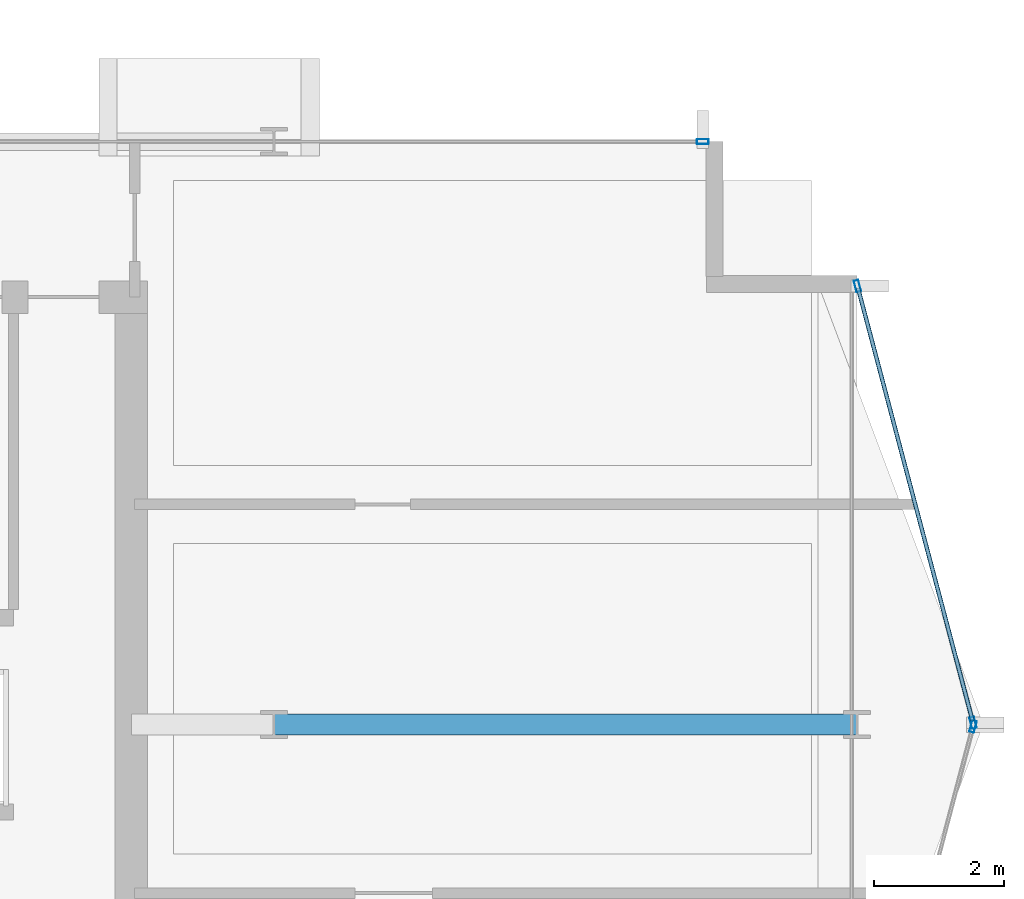
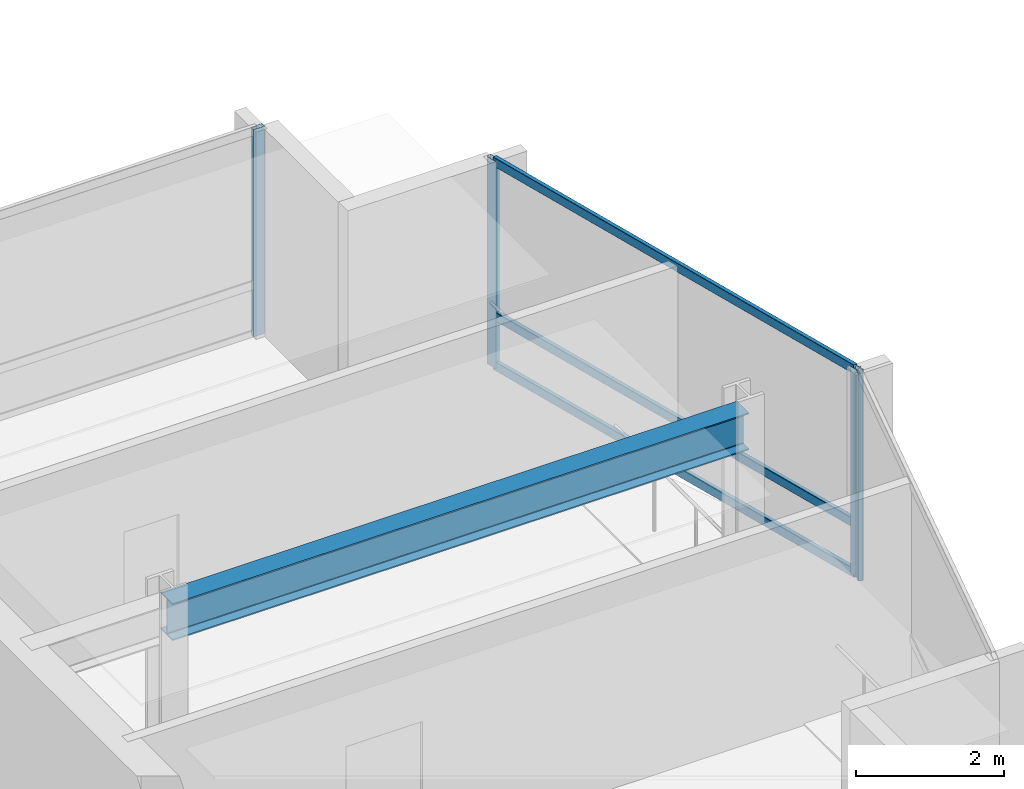
# One storey, part 14 of 29: 7 members, 1 beam, 3 elements without a shape of their own.
"""IFC4 building model written with IfcOpenShell, lengths in metres."""

from ifc_helpers import new_model, si_unit, direction, frame, origin, origin_2d, place, context, subcontext, project, spatial, hollow_rectangle, i_section, extrude, material, layer, layer_set, material_profile, profile_set, type_object, element, aggregate, save


model = new_model("IFC4")

# Units and contexts
model_context = context("Model", 3, precision=1e-05, world=origin(), true_north=direction((0.0, 1.0)))
body_context = subcontext(model_context, "Body", "Model", "MODEL_VIEW")
ifc_project = project(units=[si_unit("LENGTHUNIT", "METRE"), si_unit("AREAUNIT", "SQUARE_METRE"), si_unit("VOLUMEUNIT", "CUBIC_METRE"), si_unit("PLANEANGLEUNIT", "RADIAN"), si_unit("MASSUNIT", "GRAM", prefix="KILO")], contexts=[model_context])

# Site, building, storey
site_placement = place(None, origin())
site = spatial("IfcSite", under=ifc_project, at=site_placement, CompositionType="ELEMENT")
building_placement = place(site_placement, origin())
building = spatial("IfcBuilding", under=site, at=building_placement, Name="Solvaryn Broadcast Tower", CompositionType="ELEMENT")
storey_placement = place(building_placement, frame((0.0, 0.0, 161.800048828125)))
storey = spatial("IfcBuildingStorey", under=building, at=storey_placement, Name="L40", CompositionType="ELEMENT", Elevation=161.800048828125)

# Beam
ifc_material_1 = material(Name="Steel ASTM A992 Grade 50", Category="steel")
ifc_material_profile_1 = material_profile(ifc_material_1, i_section(OverallWidth=0.323974609375, OverallDepth=0.611083984375, WebThickness=0.0126953125, FlangeThickness=0.01904296875, FilletRadius=0.014892578125, at=origin_2d()))
ifc_profile_set_1 = profile_set([ifc_material_profile_1], Name="Steel ASTM A992 Grade 50")
beam_type = type_object("IfcBeamType", Name="BM-B1-W24X104", PredefinedType="BEAM", material=ifc_profile_set_1)
beam_placement = place(storey_placement, frame((45.0, 18.0, 3.114501953125), z_axis=(1.0, 0.0, 0.0), x_axis=(0.0, 1.0, 0.0)))
element("IfcBeam", 1, at=beam_placement, inside=storey, type_object=beam_type, Name="L40 Primary Beam X (45-54 @ Y=18)", PredefinedType="BEAM", context=body_context, shape_type="SweptSolid", body=[
    extrude(i_section(OverallWidth=0.323974609375, OverallDepth=0.611083984375, WebThickness=0.0126953125, FlangeThickness=0.01904296875, FilletRadius=0.014892578125, at=origin_2d()), origin(), (0.0, 0.0, 1.0), 9.0),
])

# Curtain wall, members
ifc_material_2 = material(Name="Aluminium and Terracotta Unitised Curtain Wall", Category="masonry")
ifc_layer = layer(ifc_material_2, 0.199951171875)
ifc_layer_set = layer_set([ifc_layer], Name="CW-SYS2-LOWMID")
curtain_wall_type = type_object("IfcCurtainWallType", Name="CW-SYS2-LOWMID", PredefinedType="NOTDEFINED", material=ifc_layer_set)
curtain_wall_1_placement = place(storey_placement, origin())
curtain_wall_1 = element("IfcCurtainWall", 2, at=curtain_wall_1_placement, inside=storey, type_object=curtain_wall_type, Name="L40 Curtain Wall ET1", PredefinedType="NOTDEFINED")
ifc_material_3 = material(Name="Anodised Aluminium 6063-T6", Category="aluminium")
ifc_material_profile_2 = material_profile(ifc_material_3, hollow_rectangle(XDim=0.074951171875, YDim=0.179931640625, WallThickness=0.00390625, InnerFilletRadius=0.00390625, OuterFilletRadius=0.008056640625, at=origin_2d()))
ifc_profile_set_2 = profile_set([ifc_material_profile_2], Name="Anodised Aluminium 6063-T6")
member_type_1 = type_object("IfcMemberType", Name="CW-MUL-180", PredefinedType="MULLION", material=ifc_profile_set_2)
member_1_placement = place(storey_placement, frame((54.007568359375, 24.77099609375, 0.0), z_axis=(0.0, 0.0, 1.0), x_axis=(0.966705227863, 0.25589256031, 0.0)))
member_1 = element("IfcMember", 3, at=member_1_placement, type_object=member_type_1, Name="CWS2 mullion 1", PredefinedType="MULLION", context=body_context, shape_type="SweptSolid", body=[
    extrude(hollow_rectangle(XDim=0.074951171875, YDim=0.179931640625, WallThickness=0.00390625, InnerFilletRadius=0.00390625, OuterFilletRadius=0.008056640625, at=origin_2d()), origin(), (0.0, 0.0, 1.0), 3.419921875),
])
member_2_placement = place(storey_placement, frame((55.792236328125, 18.029052734375, 0.0), z_axis=(0.0, 0.0, 1.0), x_axis=(0.966705227863, 0.25589256031, 0.0)))
member_2 = element("IfcMember", 4, at=member_2_placement, type_object=member_type_1, Name="CWS2 mullion 2", PredefinedType="MULLION", context=body_context, shape_type="SweptSolid", body=[
    extrude(hollow_rectangle(XDim=0.074951171875, YDim=0.179931640625, WallThickness=0.00390625, InnerFilletRadius=0.00390625, OuterFilletRadius=0.008056640625, at=origin_2d()), origin(), (0.0, 0.0, 1.0), 3.419921875),
])

# Curtain wall, member
curtain_wall_2_placement = place(storey_placement, origin())
curtain_wall_2 = element("IfcCurtainWall", 5, at=curtain_wall_2_placement, inside=storey, type_object=curtain_wall_type, Name="L40 Curtain Wall ET2", PredefinedType="NOTDEFINED")
member_3_placement = place(storey_placement, frame((55.792236328125, 17.970947265625, 0.0), z_axis=(0.0, 0.0, 1.0), x_axis=(0.966705227863, -0.25589256031, 0.0)))
member_3 = element("IfcMember", 6, at=member_3_placement, type_object=member_type_1, Name="CWS2 mullion 1", PredefinedType="MULLION", context=body_context, shape_type="SweptSolid", body=[
    extrude(hollow_rectangle(XDim=0.074951171875, YDim=0.179931640625, WallThickness=0.00390625, InnerFilletRadius=0.00390625, OuterFilletRadius=0.008056640625, at=origin_2d()), origin(), (0.0, 0.0, 1.0), 3.419921875),
])
aggregate(curtain_wall_2, [member_3])

curtain_wall_3_placement = place(storey_placement, origin())
curtain_wall_3 = element("IfcCurtainWall", 7, at=curtain_wall_3_placement, inside=storey, type_object=curtain_wall_type, Name="L40 Curtain Wall IH", PredefinedType="NOTDEFINED")
member_4_placement = place(storey_placement, frame((51.6201171875, 27.0, 0.0), z_axis=(0.0, 0.0, 1.0), x_axis=(0.0, 1.0, 0.0)))
member_4 = element("IfcMember", 8, at=member_4_placement, type_object=member_type_1, Name="CWS2 mullion 2", PredefinedType="MULLION", context=body_context, shape_type="SweptSolid", body=[
    extrude(hollow_rectangle(XDim=0.074951171875, YDim=0.179931640625, WallThickness=0.00390625, InnerFilletRadius=0.00390625, OuterFilletRadius=0.008056640625, at=origin_2d()), origin(), (0.0, 0.0, 1.0), 3.419921875),
])
aggregate(curtain_wall_3, [member_4])

# Member
ifc_material_4 = material(Name="Anodised Aluminium 6063-T6", Category="aluminium")
ifc_material_profile_3 = material_profile(ifc_material_4, hollow_rectangle(XDim=0.06494140625, YDim=0.14990234375, WallThickness=0.00390625, InnerFilletRadius=0.00390625, OuterFilletRadius=0.008056640625, at=origin_2d()))
ifc_profile_set_3 = profile_set([ifc_material_profile_3], Name="Anodised Aluminium 6063-T6")
member_type_2 = type_object("IfcMemberType", Name="CW-TRN-150", PredefinedType="USERDEFINED", material=ifc_profile_set_3)
member_5_placement = place(storey_placement, frame((54.015380859375, 24.741943359375, 0.030029296875), z_axis=(0.255897413051, -0.966703943301, 0.0), x_axis=(0.966703943301, 0.255897413051, 0.0)))
member_5 = element("IfcMember", 9, at=member_5_placement, type_object=member_type_2, Name="CWS2 transom 1.1", ObjectType="TRANSOM", PredefinedType="USERDEFINED", context=body_context, shape_type="SweptSolid", body=[
    extrude(hollow_rectangle(XDim=0.06494140625, YDim=0.14990234375, WallThickness=0.00390625, InnerFilletRadius=0.00390625, OuterFilletRadius=0.008056640625, at=origin_2d()), origin(), (0.0, 0.0, 1.0), 6.9140625),
])

member_6_placement = place(storey_placement, frame((54.015380859375, 24.741943359375, 0.849853515625), z_axis=(0.255897413051, -0.966703943301, 0.0), x_axis=(0.966703943301, 0.255897413051, 0.0)))
member_6 = element("IfcMember", 10, at=member_6_placement, type_object=member_type_2, Name="CWS2 transom 1.2", ObjectType="TRANSOM", PredefinedType="USERDEFINED", context=body_context, shape_type="SweptSolid", body=[
    extrude(hollow_rectangle(XDim=0.06494140625, YDim=0.14990234375, WallThickness=0.00390625, InnerFilletRadius=0.00390625, OuterFilletRadius=0.008056640625, at=origin_2d()), origin(), (0.0, 0.0, 1.0), 6.9140625),
])

member_7_placement = place(storey_placement, frame((54.015380859375, 24.741943359375, 3.389892578125), z_axis=(0.255897413051, -0.966703943301, 0.0), x_axis=(0.966703943301, 0.255897413051, 0.0)))
member_7 = element("IfcMember", 11, at=member_7_placement, type_object=member_type_2, Name="CWS2 transom 1.3", ObjectType="TRANSOM", PredefinedType="USERDEFINED", context=body_context, shape_type="SweptSolid", body=[
    extrude(hollow_rectangle(XDim=0.06494140625, YDim=0.14990234375, WallThickness=0.00390625, InnerFilletRadius=0.00390625, OuterFilletRadius=0.008056640625, at=origin_2d()), origin(), (0.0, 0.0, 1.0), 6.9140625),
])

aggregate(curtain_wall_1, [member_1, member_2, member_5, member_6, member_7])

save(model, "model.ifc")
